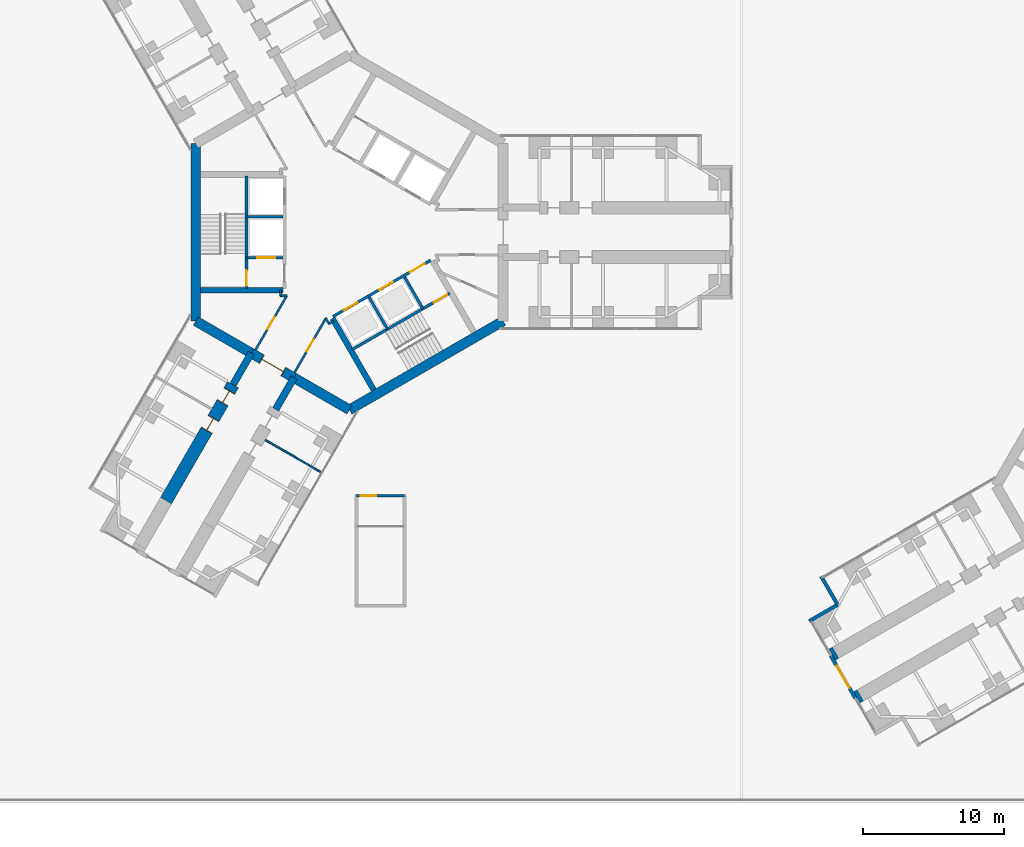
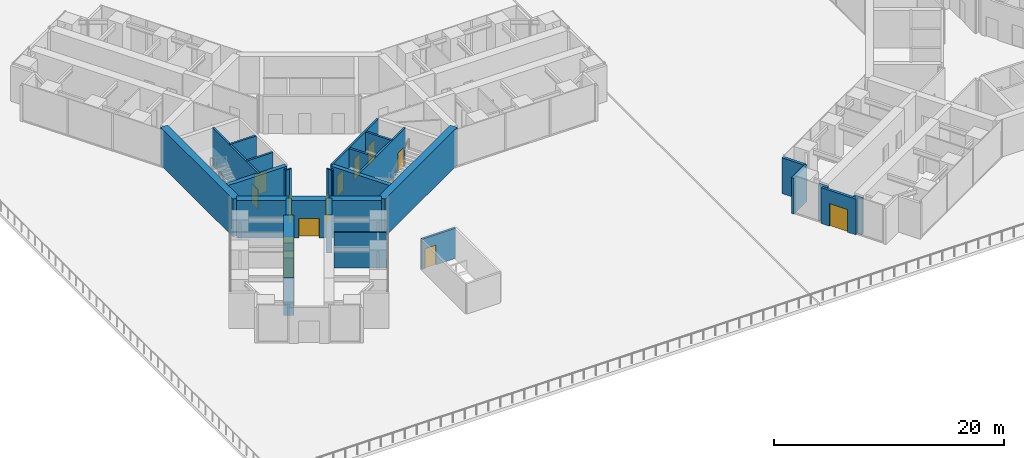
# One storey, part 13 of 23: 30 walls, 13 doors, 13 openings.
"""IFC4 building model written with IfcOpenShell, lengths in metres."""

from ifc_helpers import new_model, si_unit, direction, frame, frame_2d, origin, place, context, subcontext, project, spatial, rectangle, extrude, material, layer, layer_set, type_object, element, fill, save


model = new_model("IFC4")

# Units and contexts
model_context = context("Model", 3, precision=1e-05, world=origin(), true_north=direction((0.0, 1.0)))
body_context = subcontext(model_context, "Body", "Model", "MODEL_VIEW")
ifc_project = project(units=[si_unit("LENGTHUNIT", "METRE"), si_unit("AREAUNIT", "SQUARE_METRE"), si_unit("VOLUMEUNIT", "CUBIC_METRE"), si_unit("PLANEANGLEUNIT", "RADIAN"), si_unit("MASSUNIT", "GRAM", prefix="KILO")], contexts=[model_context])

# Site, building, storey
site_placement = place(None, origin())
site = spatial("IfcSite", under=ifc_project, at=site_placement, CompositionType="ELEMENT")
building_placement = place(site_placement, origin())
building = spatial("IfcBuilding", under=site, at=building_placement, Name="Upepo Twin Towers", CompositionType="ELEMENT")
storey_placement = place(building_placement, frame((0.0, 0.0, 20.5)))
storey = spatial("IfcBuildingStorey", under=building, at=storey_placement, Name="L04", CompositionType="ELEMENT", Elevation=20.5)

# Walls
ifc_material_1 = material(Name="Dense concrete blockwork", Category="masonry")
ifc_layer_1 = layer(ifc_material_1, 0.89990234375)
ifc_layer_set_1 = layer_set([ifc_layer_1], Name="Buttress closer 900, blockwork with fire-stopping to the curtain wall")
wall_type_1 = type_object("IfcWallType", Name="Buttress closer 900, blockwork with fire-stopping to the curtain wall", PredefinedType="PARTITIONING", material=ifc_layer_set_1)
for number, where, z_axis, x_axis, name in (
    (1, (36.252197265625, -32.865478515625, 0.0), (0.0, 0.0, 1.0), (-0.86621513555, -0.499671230855, 0.0), "T2 L04 wing B buttress closer L"),
    (2, (34.502197265625, -29.83447265625, 0.0), (0.0, 0.0, 1.0), (-0.86621513555, -0.499671230855, 0.0), "T2 L04 wing B buttress closer R"),
):
    element("IfcWall", number, at=place(storey_placement, frame(where, z_axis=z_axis, x_axis=x_axis)), inside=storey, type_object=wall_type_1, Name=name, PredefinedType="PARTITIONING", context=body_context, shape_type="SweptSolid", body=[
        extrude(rectangle(XDim=0.275146484375, YDim=0.89990234375, at=frame_2d((0.1376953125, 0.0))), origin(), (0.0, 0.0, 1.0), 3.800048828125),
    ])
ifc_material_2 = material(Name="Concrete C60/75", Category="concrete")
ifc_layer_2 = layer(ifc_material_2, 0.5)
ifc_layer_set_2 = layer_set([ifc_layer_2], Name="Concrete C60/75")
wall_type_2 = type_object("IfcWallType", Name="Buttress wall 500 RC", PredefinedType="SHEAR", material=ifc_layer_set_2)
for number, where, z_axis, x_axis, name in (
    (3, (-3.938720703125, -10.32177734375, 0.0), (0.0, 0.0, 1.0), (-0.499918158782, -0.866072649678, 0.0), "T1 wing C buttress wall L"),
    (4, (-6.9697265625, -8.57177734375, 0.0), (0.0, 0.0, 1.0), (-0.499988811324, -0.866031863473, 0.0), "T1 wing C buttress wall R"),
):
    element("IfcWall", number, at=place(storey_placement, frame(where, z_axis=z_axis, x_axis=x_axis)), inside=storey, type_object=wall_type_2, Name=name, PredefinedType="SHEAR", context=body_context, shape_type="SweptSolid", body=[
        extrude(rectangle(XDim=2.591796875, YDim=0.5, at=frame_2d((1.2958984375, 0.0))), origin(), (0.0, 0.0, 1.0), 4.0),
    ])

# Wall, openings, doors
ifc_material_3 = material(Name="Concrete C60/75", Category="concrete")
ifc_layer_3 = layer(ifc_material_3, 0.89990234375)
ifc_layer_set_3 = layer_set([ifc_layer_3], Name="Concrete C60/75")
wall_type_3 = type_object("IfcWallType", Name="Buttress wall 900 RC", PredefinedType="SHEAR", material=ifc_layer_set_3)
wall_1_placement = place(storey_placement, frame((-8.265625, -10.81640625, 0.0), z_axis=(0.0, 0.0, 1.0), x_axis=(-0.499997557548, -0.86602681393, 0.0)))
wall_1 = element("IfcWall", 5, at=wall_1_placement, inside=storey, type_object=wall_type_3, Name="T1 wing C buttress wall R part 2", PredefinedType="SHEAR", context=body_context, shape_type="SweptSolid", body=[
    extrude(rectangle(XDim=9.5, YDim=0.89990234375, at=frame_2d((4.75, 0.0))), origin(), (0.0, 0.0, 1.0), 4.0),
])
opening_1_placement = place(wall_1_placement, frame((0.5, 0.0, 0.0)))
opening_1 = element("IfcOpeningElement", 6, at=opening_1_placement, cuts=wall_1, Name="Opening D15", PredefinedType="OPENING", context=body_context, shape_type="SweptSolid", body=[
    extrude(rectangle(XDim=1.0, YDim=2.10009765625, at=frame_2d((0.5, 1.050048828125))), frame((0.0, 0.4599609375, 0.0), z_axis=(0.0, -1.0, 0.0), x_axis=(1.0, 0.0, 0.0)), (0.0, 0.0, 1.0), 0.919921875),
])
opening_2_placement = place(wall_1_placement, frame((2.75, 0.0, 0.0)))
opening_2 = element("IfcOpeningElement", 7, at=opening_2_placement, cuts=wall_1, Name="Opening D15", PredefinedType="OPENING", context=body_context, shape_type="SweptSolid", body=[
    extrude(rectangle(XDim=1.0, YDim=2.10009765625, at=frame_2d((0.5, 1.050048828125))), frame((0.0, 0.4599609375, 0.0), z_axis=(0.0, -1.0, 0.0), x_axis=(1.0, 0.0, 0.0)), (0.0, 0.0, 1.0), 0.919921875),
])
ifc_material_4 = material(Name="Timber doorset", Category="wood")
door_type_1 = type_object("IfcDoorType", Name="Glazed door 1000 FD30", OperationType="SINGLE_SWING_LEFT", PredefinedType="DOOR", material=ifc_material_4)
door_1_placement = place(opening_1_placement, origin())
door_1 = element("IfcDoor", 8, at=door_1_placement, inside=storey, type_object=door_type_1, Name="T1 L04 seminar room door", OperationType="SINGLE_SWING_LEFT", OverallHeight=2.10009765625, OverallWidth=1.0, PredefinedType="DOOR", context=body_context, shape_type="SweptSolid", body=[
    extrude(rectangle(XDim=0.92, YDim=2.06009765625, at=frame_2d((0.5, 1.030029296875))), frame((0.0, 0.02490234375, 0.0), z_axis=(0.0, -1.0, 0.0), x_axis=(1.0, 0.0, 0.0)), (0.0, 0.0, 1.0), 0.050048828125),
    extrude(rectangle(XDim=0.04, YDim=2.10009765625, at=frame_2d((0.02001953125, 1.050048828125))), frame((0.0, 0.44970703125, 0.0), z_axis=(0.0, -1.0, 0.0), x_axis=(1.0, 0.0, 0.0)), (0.0, 0.0, 1.0), 0.8994140625),
    extrude(rectangle(XDim=0.04, YDim=2.10009765625, at=frame_2d((0.97998046875, 1.050048828125))), frame((0.0, 0.44970703125, 0.0), z_axis=(0.0, -1.0, 0.0), x_axis=(1.0, 0.0, 0.0)), (0.0, 0.0, 1.0), 0.8994140625),
    extrude(rectangle(XDim=0.92, YDim=0.04, at=frame_2d((0.5, 2.080078125))), frame((0.0, 0.44970703125, 0.0), z_axis=(0.0, -1.0, 0.0), x_axis=(1.0, 0.0, 0.0)), (0.0, 0.0, 1.0), 0.8994140625),
])
fill(opening_1, door_1)
door_2_placement = place(opening_2_placement, origin())
door_2 = element("IfcDoor", 9, at=door_2_placement, inside=storey, type_object=door_type_1, Name="T1 L04 student sky lounge door", OperationType="SINGLE_SWING_LEFT", OverallHeight=2.10009765625, OverallWidth=1.0, PredefinedType="DOOR", context=body_context, shape_type="SweptSolid", body=[
    extrude(rectangle(XDim=0.92, YDim=2.06009765625, at=frame_2d((0.5, 1.030029296875))), frame((0.0, 0.02490234375, 0.0), z_axis=(0.0, -1.0, 0.0), x_axis=(1.0, 0.0, 0.0)), (0.0, 0.0, 1.0), 0.050048828125),
    extrude(rectangle(XDim=0.04, YDim=2.10009765625, at=frame_2d((0.02001953125, 1.050048828125))), frame((0.0, 0.44970703125, 0.0), z_axis=(0.0, -1.0, 0.0), x_axis=(1.0, 0.0, 0.0)), (0.0, 0.0, 1.0), 0.8994140625),
    extrude(rectangle(XDim=0.04, YDim=2.10009765625, at=frame_2d((0.97998046875, 1.050048828125))), frame((0.0, 0.44970703125, 0.0), z_axis=(0.0, -1.0, 0.0), x_axis=(1.0, 0.0, 0.0)), (0.0, 0.0, 1.0), 0.8994140625),
    extrude(rectangle(XDim=0.92, YDim=0.04, at=frame_2d((0.5, 2.080078125))), frame((0.0, 0.44970703125, 0.0), z_axis=(0.0, -1.0, 0.0), x_axis=(1.0, 0.0, 0.0)), (0.0, 0.0, 1.0), 0.8994140625),
])
fill(opening_2, door_2)

# Walls
ifc_material_5 = material(Name="Concrete C60/75", Category="concrete")
ifc_layer_4 = layer(ifc_material_5, 0.699951171875)
ifc_layer_set_4 = layer_set([ifc_layer_4], Name="Concrete C60/75")
wall_type_4 = type_object("IfcWallType", Name="Core wall 700 RC", PredefinedType="SHEAR", material=ifc_layer_set_4)
wall_2_placement = place(storey_placement, frame((-10.908447265625, 6.2978515625, 0.0), z_axis=(0.0, 0.0, 1.0), x_axis=(0.0, -1.0, 0.0)))
element("IfcWall", 10, at=wall_2_placement, inside=storey, type_object=wall_type_4, Name="T1 core wall 180", PredefinedType="SHEAR", context=body_context, shape_type="SweptSolid", body=[
    extrude(rectangle(XDim=12.595703125, YDim=0.699951171875, at=frame_2d((6.2978515625, 0.0))), origin(), (0.0, 0.0, 1.0), 4.0),
])
wall_3_placement = place(storey_placement, frame((-10.908447265625, -6.2978515625, 0.0), z_axis=(0.0, 0.0, 1.0), x_axis=(0.866034513004, -0.499984222037, 0.0)))
element("IfcWall", 11, at=wall_3_placement, inside=storey, type_object=wall_type_4, Name="T1 core wall 240 R", PredefinedType="SHEAR", context=body_context, shape_type="SweptSolid", body=[
    extrude(rectangle(XDim=4.548095703125, YDim=0.699951171875, at=frame_2d((2.27392578125, 0.0))), origin(), (0.0, 0.0, 1.0), 4.0),
])

# Wall, opening, door
wall_4_placement = place(storey_placement, frame((-6.9697265625, -8.57177734375, 0.0), z_axis=(0.0, 0.0, 1.0), x_axis=(0.866019471182, -0.500010275428, 0.0)))
wall_4 = element("IfcWall", 12, at=wall_4_placement, inside=storey, type_object=wall_type_4, Name="T1 core wall 240", PredefinedType="SHEAR", context=body_context, shape_type="SweptSolid", body=[
    extrude(rectangle(XDim=3.5, YDim=0.699951171875, at=frame_2d((1.75, 0.0))), origin(), (0.0, 0.0, 1.0), 4.0),
])
opening_3_placement = place(wall_4_placement, frame((0.85009765625, 0.0, 0.0)))
opening_3 = element("IfcOpeningElement", 13, at=opening_3_placement, cuts=wall_4, Name="Opening D2", PredefinedType="OPENING", context=body_context, shape_type="SweptSolid", body=[
    extrude(rectangle(XDim=1.800048828125, YDim=2.10009765625, at=frame_2d((0.89990234375, 1.050048828125))), frame((0.0, 0.35986328125, 0.0), z_axis=(0.0, -1.0, 0.0), x_axis=(1.0, 0.0, 0.0)), (0.0, 0.0, 1.0), 0.719970703125),
])
ifc_material_6 = material(Name="Timber doorset", Category="wood")
door_type_2 = type_object("IfcDoorType", Name="Corridor double door 1800 FD60", OperationType="DOUBLE_DOOR_DOUBLE_SWING", PredefinedType="DOOR", material=ifc_material_6)
door_3_placement = place(opening_3_placement, origin())
door_3 = element("IfcDoor", 14, at=door_3_placement, inside=storey, type_object=door_type_2, Name="T1 L04 wing C corridor door", OperationType="DOUBLE_DOOR_DOUBLE_SWING", OverallHeight=2.10009765625, OverallWidth=1.800048828125, PredefinedType="DOOR", context=body_context, shape_type="SweptSolid", body=[
    extrude(rectangle(XDim=1.720048828125, YDim=2.06009765625, at=frame_2d((0.89990234375, 1.030029296875))), frame((0.0, 0.02490234375, 0.0), z_axis=(0.0, -1.0, 0.0), x_axis=(1.0, 0.0, 0.0)), (0.0, 0.0, 1.0), 0.050048828125),
    extrude(rectangle(XDim=0.04, YDim=2.10009765625, at=frame_2d((0.02001953125, 1.050048828125))), frame((0.0, 0.349609375, 0.0), z_axis=(0.0, -1.0, 0.0), x_axis=(1.0, 0.0, 0.0)), (0.0, 0.0, 1.0), 0.699462890625),
    extrude(rectangle(XDim=0.04, YDim=2.10009765625, at=frame_2d((1.780029296875, 1.050048828125))), frame((0.0, 0.349609375, 0.0), z_axis=(0.0, -1.0, 0.0), x_axis=(1.0, 0.0, 0.0)), (0.0, 0.0, 1.0), 0.699462890625),
    extrude(rectangle(XDim=1.720048828125, YDim=0.04, at=frame_2d((0.89990234375, 2.080078125))), frame((0.0, 0.349609375, 0.0), z_axis=(0.0, -1.0, 0.0), x_axis=(1.0, 0.0, 0.0)), (0.0, 0.0, 1.0), 0.699462890625),
])
fill(opening_3, door_3)

# Walls
wall_5_placement = place(storey_placement, frame((-3.938720703125, -10.32177734375, 0.0), z_axis=(0.0, 0.0, 1.0), x_axis=(0.866011268655, -0.500024481964, 0.0)))
element("IfcWall", 15, at=wall_5_placement, inside=storey, type_object=wall_type_4, Name="T1 core wall 240 L", PredefinedType="SHEAR", context=body_context, shape_type="SweptSolid", body=[
    extrude(rectangle(XDim=4.548095703125, YDim=0.699951171875, at=frame_2d((2.27392578125, 0.0))), origin(), (0.0, 0.0, 1.0), 4.0),
])
wall_6_placement = place(storey_placement, frame((0.0, -12.595947265625, 0.0), z_axis=(0.0, 0.0, 1.0), x_axis=(0.866021940709, 0.500005998175, 0.0)))
element("IfcWall", 16, at=wall_6_placement, inside=storey, type_object=wall_type_4, Name="T1 core wall 300", PredefinedType="SHEAR", context=body_context, shape_type="SweptSolid", body=[
    extrude(rectangle(XDim=12.595947265625, YDim=0.699951171875, at=frame_2d((6.2978515625, 0.0))), origin(), (0.0, 0.0, 1.0), 4.0),
])
ifc_material_7 = material(Name="Laminated glass in an aluminium frame", Category="aluminium")
ifc_layer_5 = layer(ifc_material_7, 0.1201171875)
ifc_layer_set_5 = layer_set([ifc_layer_5], Name="Glazed partition 120, aluminium framed")
wall_type_5 = type_object("IfcWallType", Name="Glazed partition 120, aluminium framed", PredefinedType="PARTITIONING", material=ifc_layer_set_5)
wall_7_placement = place(storey_placement, frame((-5.9697265625, -14.739990234375, 0.0), z_axis=(0.0, 0.0, 1.0), x_axis=(0.866035472144, -0.499982560684, 0.0)))
element("IfcWall", 17, at=wall_7_placement, inside=storey, type_object=wall_type_5, Name="T1 partition CL at 15.75", PredefinedType="PARTITIONING", context=body_context, shape_type="SweptSolid", body=[
    extrude(rectangle(XDim=4.550048828125, YDim=0.1201171875, at=frame_2d((2.27490234375, 0.0))), origin(), (0.0, 0.0, 1.0), 3.800048828125),
])
ifc_material_8 = material(Name="Blockwork with anodised aluminium cladding", Category="masonry")
ifc_layer_6 = layer(ifc_material_8, 0.25)
ifc_layer_set_6 = layer_set([ifc_layer_6], Name="Notch cladding wall 250, pale metal")
wall_type_6 = type_object("IfcWallType", Name="Notch cladding wall 250, pale metal", PredefinedType="STANDARD", material=ifc_layer_set_6)
for number, where, z_axis, x_axis, name in (
    (18, (33.482666015625, -24.418701171875, 0.0), (0.0, 0.0, 1.0), (0.499967891604, -0.866043940782, 0.0), "T2 L04 wing B notch wall R1"),
    (19, (34.64501953125, -26.43212890625, 0.0), (0.0, 0.0, 1.0), (-0.865998469481, -0.500046648681, 0.0), "T2 L04 wing B notch wall R2"),
):
    element("IfcWall", number, at=place(storey_placement, frame(where, z_axis=z_axis, x_axis=x_axis)), inside=storey, type_object=wall_type_6, Name=name, PredefinedType="STANDARD", context=body_context, shape_type="SweptSolid", body=[
        extrude(rectangle(XDim=2.324951171875, YDim=0.25, at=frame_2d((1.16259765625, 0.0))), origin(), (0.0, 0.0, 1.0), 3.800048828125),
    ])

# Wall, opening, door
wall_8_placement = place(storey_placement, frame((34.15576171875, -30.034423828125, 0.0), z_axis=(0.0, 0.0, 1.0), x_axis=(0.500010275428, -0.866019471182, 0.0)))
wall_8 = element("IfcWall", 20, at=wall_8_placement, inside=storey, type_object=wall_type_6, Name="T2 L04 wing B nose wall", PredefinedType="STANDARD", context=body_context, shape_type="SweptSolid", body=[
    extrude(rectangle(XDim=3.5, YDim=0.25, at=frame_2d((1.75, 0.0))), origin(), (0.0, 0.0, 1.0), 3.800048828125),
])
opening_4_placement = place(wall_8_placement, frame((0.85009765625, 0.0, 0.0)))
opening_4 = element("IfcOpeningElement", 21, at=opening_4_placement, cuts=wall_8, Name="Opening D5", PredefinedType="OPENING", context=body_context, shape_type="SweptSolid", body=[
    extrude(rectangle(XDim=1.800048828125, YDim=2.39990234375, at=frame_2d((0.89990234375, 1.199951171875))), frame((0.0, 0.135009765625, 0.0), z_axis=(0.0, -1.0, 0.0), x_axis=(1.0, 0.0, 0.0)), (0.0, 0.0, 1.0), 0.27001953125),
])
ifc_material_9 = material(Name="Aluminium glazed doorset", Category="aluminium")
door_type_3 = type_object("IfcDoorType", Name="Terrace door 1800 glazed", OperationType="DOUBLE_DOOR_DOUBLE_SWING", PredefinedType="DOOR", material=ifc_material_9)
door_4_placement = place(opening_4_placement, origin())
door_4 = element("IfcDoor", 22, at=door_4_placement, inside=storey, type_object=door_type_3, Name="T2 L04 wing B terrace door", OperationType="DOUBLE_DOOR_DOUBLE_SWING", OverallHeight=2.39990234375, OverallWidth=1.800048828125, PredefinedType="DOOR", context=body_context, shape_type="SweptSolid", body=[
    extrude(rectangle(XDim=1.800048828125, YDim=2.39990234375, at=frame_2d((0.89990234375, 1.199951171875))), frame((0.0, 0.02490234375, 0.0), z_axis=(0.0, -1.0, 0.0), x_axis=(1.0, 0.0, 0.0)), (0.0, 0.0, 1.0), 0.050048828125),
])
fill(opening_4, door_4)

ifc_material_10 = material(Name="Concrete C40/50", Category="concrete")
ifc_layer_7 = layer(ifc_material_10, 0.199951171875)
ifc_layer_set_7 = layer_set([ifc_layer_7], Name="Concrete C40/50")
wall_type_7 = type_object("IfcWallType", Name="Podium stair enclosure 200 RC", PredefinedType="SHEAR", material=ifc_layer_set_7)
wall_9_placement = place(storey_placement, frame((3.89990234375, -18.699951171875, 0.0), z_axis=(0.0, 0.0, 1.0), x_axis=(-1.0, 0.0, 0.0)))
wall_9 = element("IfcWall", 23, at=wall_9_placement, inside=storey, type_object=wall_type_7, Name="PS3 head-house wall 3", PredefinedType="SHEAR", context=body_context, shape_type="SweptSolid", body=[
    extrude(rectangle(XDim=3.39990234375, YDim=0.199951171875, at=frame_2d((1.699951171875, 0.0))), origin(), (0.0, 0.0, 1.0), 3.199951171875),
])
opening_5_placement = place(wall_9_placement, frame((2.0, 0.0, 0.0)))
opening_5 = element("IfcOpeningElement", 24, at=opening_5_placement, cuts=wall_9, Name="Opening D3", PredefinedType="OPENING", context=body_context, shape_type="SweptSolid", body=[
    extrude(rectangle(XDim=1.10009765625, YDim=2.10009765625, at=frame_2d((0.550048828125, 1.050048828125))), frame((0.0, 0.10986328125, 0.0), z_axis=(0.0, -1.0, 0.0), x_axis=(1.0, 0.0, 0.0)), (0.0, 0.0, 1.0), 0.219970703125),
])
ifc_material_11 = material(Name="Timber doorset", Category="wood")
door_type_4 = type_object("IfcDoorType", Name="Stair door 1100 FD60", OperationType="SINGLE_SWING_LEFT", PredefinedType="DOOR", material=ifc_material_11)
door_5_placement = place(opening_5_placement, origin())
door_5 = element("IfcDoor", 25, at=door_5_placement, inside=storey, type_object=door_type_4, Name="PS3 head-house door", OperationType="SINGLE_SWING_RIGHT", OverallHeight=2.10009765625, OverallWidth=1.10009765625, PredefinedType="DOOR", context=body_context, shape_type="SweptSolid", body=[
    extrude(rectangle(XDim=1.10009765625, YDim=2.10009765625, at=frame_2d((0.550048828125, 1.050048828125))), frame((0.0, 0.02490234375, 0.0), z_axis=(0.0, -1.0, 0.0), x_axis=(1.0, 0.0, 0.0)), (0.0, 0.0, 1.0), 0.050048828125),
])
fill(opening_5, door_5)

# Wall
ifc_material_12 = material(Name="Concrete C40/50", Category="concrete")
ifc_layer_8 = layer(ifc_material_12, 0.199951171875)
ifc_layer_set_8 = layer_set([ifc_layer_8], Name="Concrete C40/50")
wall_type_8 = type_object("IfcWallType", Name="Shaft wall 200 RC", PredefinedType="SHEAR", material=ifc_layer_set_8)
wall_10_placement = place(storey_placement, frame((-4.699951171875, 1.10009765625, 0.0), z_axis=(0.0, 0.0, 1.0), x_axis=(-1.0, 0.0, 0.0)))
element("IfcWall", 26, at=wall_10_placement, inside=storey, type_object=wall_type_8, Name="T1 core W180 shaft divider", PredefinedType="SHEAR", context=body_context, shape_type="SweptSolid", body=[
    extrude(rectangle(XDim=2.60009765625, YDim=0.199951171875, at=frame_2d((1.300048828125, 0.0))), origin(), (0.0, 0.0, 1.0), 4.0),
])

# Wall, opening, door
wall_11_placement = place(storey_placement, frame((-4.699951171875, -1.800048828125, 0.0), z_axis=(0.0, 0.0, 1.0), x_axis=(-1.0, 0.0, 0.0)))
wall_11 = element("IfcWall", 27, at=wall_11_placement, inside=storey, type_object=wall_type_8, Name="T1 core W180 lobby wall", PredefinedType="SHEAR", context=body_context, shape_type="SweptSolid", body=[
    extrude(rectangle(XDim=2.60009765625, YDim=0.199951171875, at=frame_2d((1.300048828125, 0.0))), origin(), (0.0, 0.0, 1.0), 4.0),
])
opening_6_placement = place(wall_11_placement, frame((0.550048828125, 0.0, 0.0)))
opening_6 = element("IfcOpeningElement", 28, at=opening_6_placement, cuts=wall_11, Name="Opening LD2", PredefinedType="OPENING", context=body_context, shape_type="SweptSolid", body=[
    extrude(rectangle(XDim=1.300048828125, YDim=2.199951171875, at=frame_2d((0.64990234375, 1.10009765625))), frame((0.0, 0.10986328125, 0.0), z_axis=(0.0, -1.0, 0.0), x_axis=(1.0, 0.0, 0.0)), (0.0, 0.0, 1.0), 0.219970703125),
])
ifc_material_13 = material(Name="Steel doorset", Category="steel")
door_type_5 = type_object("IfcDoorType", Name="Firefighting lift landing door 1300", OperationType="DOUBLE_DOOR_SLIDING", PredefinedType="DOOR", material=ifc_material_13)
door_6_placement = place(opening_6_placement, origin())
door_6 = element("IfcDoor", 29, at=door_6_placement, inside=storey, type_object=door_type_5, Name="T1 L04 firefighting lift landing door", OperationType="DOUBLE_DOOR_SLIDING", OverallHeight=2.199951171875, OverallWidth=1.300048828125, PredefinedType="DOOR", context=body_context, shape_type="SweptSolid", body=[
    extrude(rectangle(XDim=1.300048828125, YDim=2.199951171875, at=frame_2d((0.64990234375, 1.10009765625))), frame((0.0, 0.02490234375, 0.0), z_axis=(0.0, -1.0, 0.0), x_axis=(1.0, 0.0, 0.0)), (0.0, 0.0, 1.0), 0.050048828125),
])
fill(opening_6, door_6)

wall_12_placement = place(storey_placement, frame((-7.300048828125, 4.0, 0.0), z_axis=(0.0, 0.0, 1.0), x_axis=(0.0, -1.0, 0.0)))
wall_12 = element("IfcWall", 30, at=wall_12_placement, inside=storey, type_object=wall_type_8, Name="T1 core W180 stair wall", PredefinedType="SHEAR", context=body_context, shape_type="SweptSolid", body=[
    extrude(rectangle(XDim=8.0, YDim=0.199951171875, at=frame_2d((4.0, 0.0))), origin(), (0.0, 0.0, 1.0), 4.0),
])
opening_7_placement = place(wall_12_placement, frame((6.699951171875, 0.0, 0.0)))
opening_7 = element("IfcOpeningElement", 31, at=opening_7_placement, cuts=wall_12, Name="Opening D3", PredefinedType="OPENING", context=body_context, shape_type="SweptSolid", body=[
    extrude(rectangle(XDim=1.10009765625, YDim=2.10009765625, at=frame_2d((0.550048828125, 1.050048828125))), frame((0.0, 0.10986328125, 0.0), z_axis=(0.0, -1.0, 0.0), x_axis=(1.0, 0.0, 0.0)), (0.0, 0.0, 1.0), 0.219970703125),
])
door_7_placement = place(opening_7_placement, origin())
door_7 = element("IfcDoor", 32, at=door_7_placement, inside=storey, type_object=door_type_4, Name="T1 L04 stair door", OperationType="SINGLE_SWING_RIGHT", OverallHeight=2.10009765625, OverallWidth=1.10009765625, PredefinedType="DOOR", context=body_context, shape_type="SweptSolid", body=[
    extrude(rectangle(XDim=1.10009765625, YDim=2.10009765625, at=frame_2d((0.550048828125, 1.050048828125))), frame((0.0, 0.02490234375, 0.0), z_axis=(0.0, -1.0, 0.0), x_axis=(1.0, 0.0, 0.0)), (0.0, 0.0, 1.0), 0.050048828125),
])
fill(opening_7, door_7)

# Wall, openings, doors
wall_13_placement = place(storey_placement, frame((-1.1640625, -5.983642578125, 0.0), z_axis=(0.0, 0.0, 1.0), x_axis=(0.866026010844, 0.49999894854, 0.0)))
wall_13 = element("IfcWall", 33, at=wall_13_placement, inside=storey, type_object=wall_type_8, Name="T1 core W300 front wall", PredefinedType="SHEAR", context=body_context, shape_type="SweptSolid", body=[
    extrude(rectangle(XDim=8.0, YDim=0.199951171875, at=frame_2d((4.0, 0.0))), origin(), (0.0, 0.0, 1.0), 4.0),
])
opening_8_placement = place(wall_13_placement, frame((6.300048828125, 0.0, 0.0)))
opening_8 = element("IfcOpeningElement", 34, at=opening_8_placement, cuts=wall_13, Name="Opening D4", PredefinedType="OPENING", context=body_context, shape_type="SweptSolid", body=[
    extrude(rectangle(XDim=1.199951171875, YDim=2.10009765625, at=frame_2d((0.60009765625, 1.050048828125))), frame((0.0, 0.10986328125, 0.0), z_axis=(0.0, -1.0, 0.0), x_axis=(1.0, 0.0, 0.0)), (0.0, 0.0, 1.0), 0.219970703125),
])
opening_9_placement = place(wall_13_placement, frame((0.89990234375, 0.0, 0.0)))
opening_9 = element("IfcOpeningElement", 35, at=opening_9_placement, cuts=wall_13, Name="Opening LD1", PredefinedType="OPENING", context=body_context, shape_type="SweptSolid", body=[
    extrude(rectangle(XDim=1.10009765625, YDim=2.199951171875, at=frame_2d((0.550048828125, 1.10009765625))), frame((0.0, 0.10986328125, 0.0), z_axis=(0.0, -1.0, 0.0), x_axis=(1.0, 0.0, 0.0)), (0.0, 0.0, 1.0), 0.219970703125),
])
opening_10_placement = place(wall_13_placement, frame((3.800048828125, 0.0, 0.0)))
opening_10 = element("IfcOpeningElement", 36, at=opening_10_placement, cuts=wall_13, Name="Opening LD1", PredefinedType="OPENING", context=body_context, shape_type="SweptSolid", body=[
    extrude(rectangle(XDim=1.10009765625, YDim=2.199951171875, at=frame_2d((0.550048828125, 1.10009765625))), frame((0.0, 0.10986328125, 0.0), z_axis=(0.0, -1.0, 0.0), x_axis=(1.0, 0.0, 0.0)), (0.0, 0.0, 1.0), 0.219970703125),
])
ifc_material_14 = material(Name="Steel doorset", Category="steel")
door_type_6 = type_object("IfcDoorType", Name="Lift landing door 1100", OperationType="DOUBLE_DOOR_SLIDING", PredefinedType="DOOR", material=ifc_material_14)
door_8_placement = place(opening_9_placement, origin())
door_8 = element("IfcDoor", 37, at=door_8_placement, inside=storey, type_object=door_type_6, Name="T1 L04 lift LL1 landing door", OperationType="DOUBLE_DOOR_SLIDING", OverallHeight=2.199951171875, OverallWidth=1.10009765625, PredefinedType="DOOR", context=body_context, shape_type="SweptSolid", body=[
    extrude(rectangle(XDim=1.10009765625, YDim=2.199951171875, at=frame_2d((0.550048828125, 1.10009765625))), frame((0.0, 0.02490234375, 0.0), z_axis=(0.0, -1.0, 0.0), x_axis=(1.0, 0.0, 0.0)), (0.0, 0.0, 1.0), 0.050048828125),
])
fill(opening_9, door_8)
door_9_placement = place(opening_10_placement, origin())
door_9 = element("IfcDoor", 38, at=door_9_placement, inside=storey, type_object=door_type_6, Name="T1 L04 lift LL2 landing door", OperationType="DOUBLE_DOOR_SLIDING", OverallHeight=2.199951171875, OverallWidth=1.10009765625, PredefinedType="DOOR", context=body_context, shape_type="SweptSolid", body=[
    extrude(rectangle(XDim=1.10009765625, YDim=2.199951171875, at=frame_2d((0.550048828125, 1.10009765625))), frame((0.0, 0.02490234375, 0.0), z_axis=(0.0, -1.0, 0.0), x_axis=(1.0, 0.0, 0.0)), (0.0, 0.0, 1.0), 0.050048828125),
])
fill(opening_10, door_9)
ifc_material_15 = material(Name="Timber doorset", Category="wood")
door_type_7 = type_object("IfcDoorType", Name="Lobby door 1200 FD60", OperationType="SINGLE_SWING_LEFT", PredefinedType="DOOR", material=ifc_material_15)
door_10_placement = place(opening_8_placement, origin())
door_10 = element("IfcDoor", 39, at=door_10_placement, inside=storey, type_object=door_type_7, Name="T1 L04 W300 lobby door", OperationType="SINGLE_SWING_RIGHT", OverallHeight=2.10009765625, OverallWidth=1.199951171875, PredefinedType="DOOR", context=body_context, shape_type="SweptSolid", body=[
    extrude(rectangle(XDim=1.199951171875, YDim=2.10009765625, at=frame_2d((0.60009765625, 1.050048828125))), frame((0.0, 0.02490234375, 0.0), z_axis=(0.0, -1.0, 0.0), x_axis=(1.0, 0.0, 0.0)), (0.0, 0.0, 1.0), 0.050048828125),
])
fill(opening_8, door_10)

# Walls
wall_14_placement = place(storey_placement, frame((1.3974609375, -4.620361328125, 0.0), z_axis=(0.0, 0.0, 1.0), x_axis=(0.499936506574, -0.866062058628, 0.0)))
element("IfcWall", 40, at=wall_14_placement, inside=storey, type_object=wall_type_8, Name="T1 core W300 shaft divider", PredefinedType="SHEAR", context=body_context, shape_type="SweptSolid", body=[
    extrude(rectangle(XDim=2.599853515625, YDim=0.199951171875, at=frame_2d((1.2998046875, 0.0))), origin(), (0.0, 0.0, 1.0), 4.0),
])
wall_15_placement = place(storey_placement, frame((3.908935546875, -3.17041015625, 0.0), z_axis=(0.0, 0.0, 1.0), x_axis=(0.49997716683, -0.86603858612, 0.0)))
element("IfcWall", 41, at=wall_15_placement, inside=storey, type_object=wall_type_8, Name="T1 core W300 lobby wall", PredefinedType="SHEAR", context=body_context, shape_type="SweptSolid", body=[
    extrude(rectangle(XDim=2.599609375, YDim=0.199951171875, at=frame_2d((1.2998046875, 0.0))), origin(), (0.0, 0.0, 1.0), 4.0),
])

# Wall, opening, door
wall_16_placement = place(storey_placement, frame((0.185791015625, -8.322021484375, 0.0), z_axis=(0.0, 0.0, 1.0), x_axis=(0.866026010844, 0.49999894854, 0.0)))
wall_16 = element("IfcWall", 42, at=wall_16_placement, inside=storey, type_object=wall_type_8, Name="T1 core W300 stair wall", PredefinedType="SHEAR", context=body_context, shape_type="SweptSolid", body=[
    extrude(rectangle(XDim=8.0, YDim=0.199951171875, at=frame_2d((4.0, 0.0))), origin(), (0.0, 0.0, 1.0), 4.0),
])
opening_11_placement = place(wall_16_placement, frame((6.699951171875, 0.0, 0.0)))
opening_11 = element("IfcOpeningElement", 43, at=opening_11_placement, cuts=wall_16, Name="Opening D3", PredefinedType="OPENING", context=body_context, shape_type="SweptSolid", body=[
    extrude(rectangle(XDim=1.10009765625, YDim=2.10009765625, at=frame_2d((0.550048828125, 1.050048828125))), frame((0.0, 0.10986328125, 0.0), z_axis=(0.0, -1.0, 0.0), x_axis=(1.0, 0.0, 0.0)), (0.0, 0.0, 1.0), 0.219970703125),
])
door_11_placement = place(opening_11_placement, origin())
door_11 = element("IfcDoor", 44, at=door_11_placement, inside=storey, type_object=door_type_4, Name="T1 L04 stair door", OperationType="SINGLE_SWING_RIGHT", OverallHeight=2.10009765625, OverallWidth=1.10009765625, PredefinedType="DOOR", context=body_context, shape_type="SweptSolid", body=[
    extrude(rectangle(XDim=1.10009765625, YDim=2.10009765625, at=frame_2d((0.550048828125, 1.050048828125))), frame((0.0, 0.02490234375, 0.0), z_axis=(0.0, -1.0, 0.0), x_axis=(1.0, 0.0, 0.0)), (0.0, 0.0, 1.0), 0.050048828125),
])
fill(opening_11, door_11)

# Walls
ifc_material_16 = material(Name="Concrete C40/50", Category="concrete")
ifc_layer_9 = layer(ifc_material_16, 0.39990234375)
ifc_layer_set_9 = layer_set([ifc_layer_9], Name="Concrete C40/50")
wall_type_9 = type_object("IfcWallType", Name="Shaft wall 400 RC", PredefinedType="SHEAR", material=ifc_layer_set_9)
for number, where, z_axis, x_axis, name in (
    (45, (-4.699951171875, -4.10009765625, 0.0), (0.0, 0.0, 1.0), (-1.0, 0.0, 0.0), "T1 core W180 side wall N"),
    (46, (-1.20068359375, -6.120361328125, 0.0), (0.0, 0.0, 1.0), (0.500002627198, -0.866023886965, 0.0), "T1 core W300 side wall S"),
):
    element("IfcWall", number, at=place(storey_placement, frame(where, z_axis=z_axis, x_axis=x_axis)), inside=storey, type_object=wall_type_9, Name=name, PredefinedType="SHEAR", context=body_context, shape_type="SweptSolid", body=[
        extrude(rectangle(XDim=5.8583984375, YDim=0.39990234375, at=frame_2d((2.92919921875, 0.0))), origin(), (0.0, 0.0, 1.0), 4.0),
    ])
ifc_material_17 = material(Name="Gypsum board on steel studs", Category="steel")
ifc_layer_10 = layer(ifc_material_17, 0.14990234375)
ifc_layer_set_10 = layer_set([ifc_layer_10], Name="Teaching partition 150 acoustic")
wall_type_10 = type_object("IfcWallType", Name="Teaching partition 150 acoustic", PredefinedType="PARTITIONING", material=ifc_layer_set_10)
wall_17_placement = place(storey_placement, frame((-1.092041015625, -6.28857421875, 0.0), z_axis=(0.0, 0.0, 1.0), x_axis=(-0.866138304741, -0.499804398801, 0.0)))
element("IfcWall", 47, at=wall_17_placement, inside=storey, type_object=wall_type_10, Name="T1 core room partition 2", PredefinedType="PARTITIONING", context=body_context, shape_type="SweptSolid", body=[
    extrude(rectangle(XDim=0.429931640625, YDim=0.14990234375, at=frame_2d((0.21484375, 0.0))), origin(), (0.0, 0.0, 1.0), 3.800048828125),
])
wall_18_placement = place(storey_placement, frame((-1.43701171875, -6.5107421875, 0.0), z_axis=(0.0, 0.0, 1.0), x_axis=(-0.50033519877, 0.865831790172, 0.0)))
element("IfcWall", 48, at=wall_18_placement, inside=storey, type_object=wall_type_10, Name="T1 core room partition 3", PredefinedType="PARTITIONING", context=body_context, shape_type="SweptSolid", body=[
    extrude(rectangle(XDim=0.494384765625, YDim=0.14990234375, at=frame_2d((0.2470703125, 0.0))), origin(), (0.0, 0.0, 1.0), 3.800048828125),
])

# Wall, opening, door
wall_19_placement = place(storey_placement, frame((-1.664306640625, -6.082763671875, 0.0), z_axis=(0.0, 0.0, 1.0), x_axis=(-0.499999927604, -0.866025445582, 0.0)))
wall_19 = element("IfcWall", 49, at=wall_19_placement, inside=storey, type_object=wall_type_10, Name="T1 core room partition 4", PredefinedType="PARTITIONING", context=body_context, shape_type="SweptSolid", body=[
    extrude(rectangle(XDim=4.46826171875, YDim=0.14990234375, at=frame_2d((2.234130859375, 0.0))), origin(), (0.0, 0.0, 1.0), 3.800048828125),
])
opening_12_placement = place(wall_19_placement, frame((1.744384765625, 0.0, 0.0)))
opening_12 = element("IfcOpeningElement", 50, at=opening_12_placement, cuts=wall_19, Name="Opening D1", PredefinedType="OPENING", context=body_context, shape_type="SweptSolid", body=[
    extrude(rectangle(XDim=1.0, YDim=2.10009765625, at=frame_2d((0.5, 1.050048828125))), frame((0.0, 0.0849609375, 0.0), z_axis=(0.0, -1.0, 0.0), x_axis=(1.0, 0.0, 0.0)), (0.0, 0.0, 1.0), 0.169921875),
])
ifc_material_18 = material(Name="Timber doorset", Category="wood")
door_type_8 = type_object("IfcDoorType", Name="Room door 1000 FD30", OperationType="SINGLE_SWING_LEFT", PredefinedType="DOOR", material=ifc_material_18)
door_12_placement = place(opening_12_placement, origin())
door_12 = element("IfcDoor", 51, at=door_12_placement, inside=storey, type_object=door_type_8, Name="T1 L04 core room door K2", OperationType="SINGLE_SWING_RIGHT", OverallHeight=2.10009765625, OverallWidth=1.0, PredefinedType="DOOR", context=body_context, shape_type="SweptSolid", body=[
    extrude(rectangle(XDim=1.0, YDim=2.10009765625, at=frame_2d((0.5, 1.050048828125))), frame((0.0, 0.02490234375, 0.0), z_axis=(0.0, -1.0, 0.0), x_axis=(1.0, 0.0, 0.0)), (0.0, 0.0, 1.0), 0.050048828125),
])
fill(opening_12, door_12)

wall_20_placement = place(storey_placement, frame((-6.669921875, -8.3525390625, 0.0), z_axis=(0.0, 0.0, 1.0), x_axis=(0.500017246033, 0.866015446554, 0.0)))
wall_20 = element("IfcWall", 52, at=wall_20_placement, inside=storey, type_object=wall_type_10, Name="T1 core room partition 5", PredefinedType="PARTITIONING", context=body_context, shape_type="SweptSolid", body=[
    extrude(rectangle(XDim=4.468505859375, YDim=0.14990234375, at=frame_2d((2.234375, 0.0))), origin(), (0.0, 0.0, 1.0), 3.800048828125),
])
opening_13_placement = place(wall_20_placement, frame((1.72412109375, 0.0, 0.0)))
opening_13 = element("IfcOpeningElement", 53, at=opening_13_placement, cuts=wall_20, Name="Opening D1", PredefinedType="OPENING", context=body_context, shape_type="SweptSolid", body=[
    extrude(rectangle(XDim=1.0, YDim=2.10009765625, at=frame_2d((0.5, 1.050048828125))), frame((0.0, 0.0849609375, 0.0), z_axis=(0.0, -1.0, 0.0), x_axis=(1.0, 0.0, 0.0)), (0.0, 0.0, 1.0), 0.169921875),
])
door_13_placement = place(opening_13_placement, origin())
door_13 = element("IfcDoor", 54, at=door_13_placement, inside=storey, type_object=door_type_8, Name="T1 L04 core room door K1", OperationType="SINGLE_SWING_LEFT", OverallHeight=2.10009765625, OverallWidth=1.0, PredefinedType="DOOR", context=body_context, shape_type="SweptSolid", body=[
    extrude(rectangle(XDim=1.0, YDim=2.10009765625, at=frame_2d((0.5, 1.050048828125))), frame((0.0, 0.02490234375, 0.0), z_axis=(0.0, -1.0, 0.0), x_axis=(1.0, 0.0, 0.0)), (0.0, 0.0, 1.0), 0.050048828125),
])
fill(opening_13, door_13)

# Walls
wall_21_placement = place(storey_placement, frame((-4.425537109375, -4.5, 0.0), z_axis=(0.0, 0.0, 1.0), x_axis=(-1.0, 0.0, 0.0)))
element("IfcWall", 55, at=wall_21_placement, inside=storey, type_object=wall_type_10, Name="T1 core room partition 6", PredefinedType="PARTITIONING", context=body_context, shape_type="SweptSolid", body=[
    extrude(rectangle(XDim=0.494384765625, YDim=0.14990234375, at=frame_2d((0.2470703125, 0.0))), origin(), (0.0, 0.0, 1.0), 3.800048828125),
])
wall_22_placement = place(storey_placement, frame((-4.89990234375, -4.52001953125, 0.0), z_axis=(0.0, 0.0, 1.0), x_axis=(0.0, 1.0, 0.0)))
element("IfcWall", 56, at=wall_22_placement, inside=storey, type_object=wall_type_10, Name="T1 core room partition 7", PredefinedType="PARTITIONING", context=body_context, shape_type="SweptSolid", body=[
    extrude(rectangle(XDim=0.429931640625, YDim=0.14990234375, at=frame_2d((0.21484375, 0.0))), origin(), (0.0, 0.0, 1.0), 3.800048828125),
])

save(model, "model.ifc")
